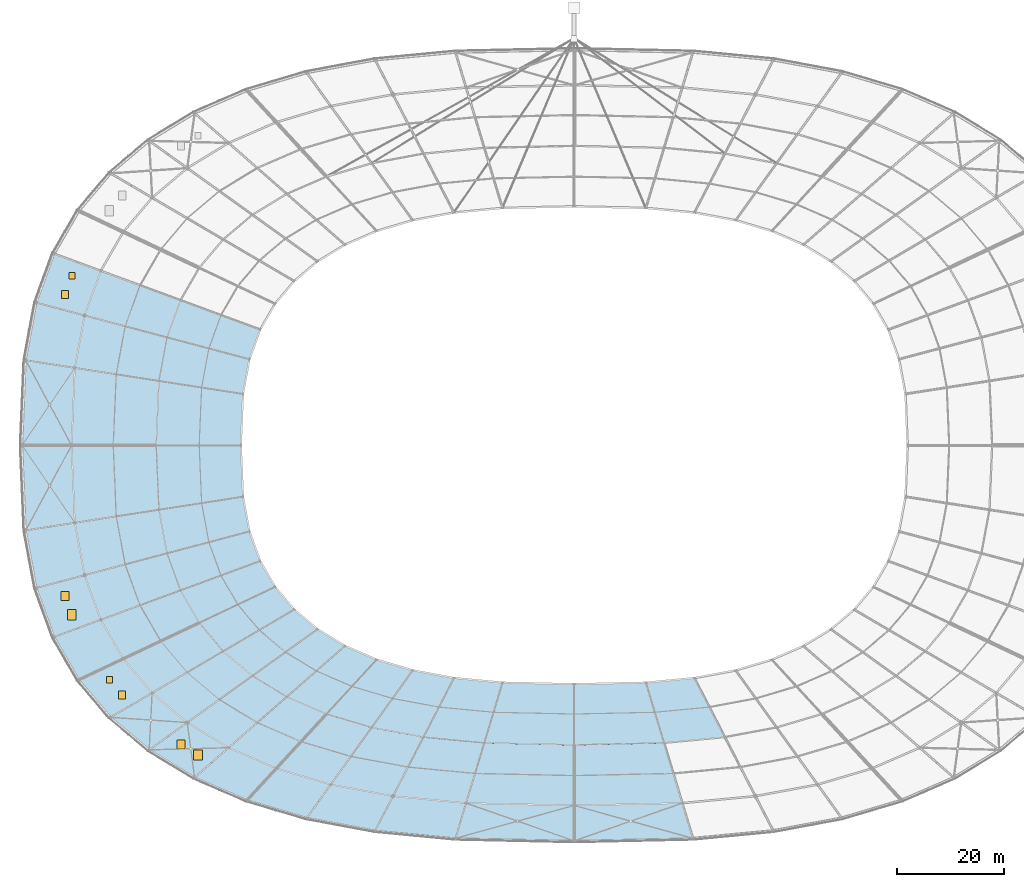
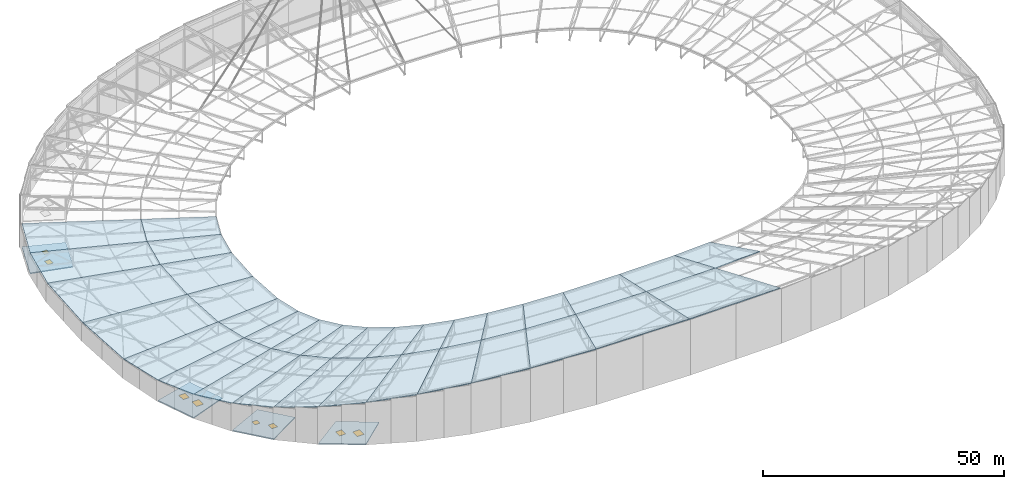
# One storey, part 104 of 143: 37 slabs, 8 windows, 8 openings, 1 element without a shape of its own.
"""IFC4 building model written with IfcOpenShell, lengths in metres."""

from ifc_helpers import new_model, si_unit, direction, frame, origin, origin_2d, place, context, subcontext, project, spatial, polyline, rectangle, outline, extrude, material, layer, layer_set, type_object, element, fill, aggregate, save


model = new_model("IFC4")

# Units and contexts
model_context = context("Model", 3, precision=1e-05, world=origin(), true_north=direction((0.0, 1.0)))
body_context = subcontext(model_context, "Body", "Model", "MODEL_VIEW")
ifc_project = project(units=[si_unit("LENGTHUNIT", "METRE"), si_unit("AREAUNIT", "SQUARE_METRE"), si_unit("VOLUMEUNIT", "CUBIC_METRE"), si_unit("PLANEANGLEUNIT", "RADIAN"), si_unit("MASSUNIT", "GRAM", prefix="KILO")], contexts=[model_context])

# Site, building, storey
site_placement = place(None, origin())
site = spatial("IfcSite", under=ifc_project, at=site_placement, CompositionType="ELEMENT")
building_placement = place(site_placement, origin())
building = spatial("IfcBuilding", under=site, at=building_placement, Name="Mphavela Belvedere Stadium", CompositionType="ELEMENT")
storey_placement = place(building_placement, frame((0.0, 0.0, 28.800048828125)))
storey = spatial("IfcBuildingStorey", under=building, at=storey_placement, Name="RF", CompositionType="ELEMENT", Elevation=28.800048828125)

# Roof, slabs, openings, windows
ifc_material_1 = material(Name="Translucent polycarbonate roof glazing", Category="glass")
roof_type = type_object("IfcRoofType", Name="ROOF-SADDLE-ASSY", PredefinedType="FREEFORM", material=ifc_material_1)
roof_placement = place(storey_placement, origin())
roof = element("IfcRoof", 1, at=roof_placement, inside=storey, type_object=roof_type, Name="Elliptical translucent saddle ring roof", PredefinedType="FREEFORM")
ifc_material_2 = material(Name="Translucent polycarbonate roof glazing over Steel S355 purlins", Category="steel")
ifc_layer_1 = layer(ifc_material_2, 0.179931640625)
ifc_layer_set_1 = layer_set([ifc_layer_1], Name="Translucent polycarbonate roof glazing over Steel S355 purlins")
slab_type_1 = type_object("IfcSlabType", Name="SLB-ROOF-POLY-180", PredefinedType="ROOF", material=ifc_layer_set_1)
slab_1_placement = place(storey_placement, frame((56.52099609375, 108.5439453125, 2.802734375), z_axis=(0.044251671248, -0.099185327266, 0.994084533854), x_axis=(-0.340014874302, -0.937148983878, -0.078368790151)))
slab_1 = element("IfcSlab", 2, at=slab_1_placement, type_object=slab_type_1, Name="Translucent saddle canopy panel 22-1", PredefinedType="ROOF", context=body_context, shape_type="SweptSolid", body=[
    extrude(outline(polyline([(0.0, 0.0), (5.875635604742094, 4.163336342344337e-17), (7.194994052926095, -15.868863240229345), (-0.17230772029580965, -15.868980489131246), (0.0, 0.0)])), origin(), (0.0, 0.0, -1.0), 0.179931640625),
])
slab_2_placement = place(storey_placement, frame((41.672607421875, 114.01416015625, 4.009521484375), z_axis=(0.044245308, -0.099200765104, 0.994083276654), x_axis=(-0.340000664528, -0.937152648351, -0.078386617544)))
slab_2 = element("IfcSlab", 3, at=slab_2_placement, type_object=slab_type_1, Name="Translucent saddle canopy panel 22-2", PredefinedType="ROOF", context=body_context, shape_type="SweptSolid", body=[
    extrude(outline(polyline([(0.0, 0.0), (7.367301773413963, -2.220446049250313e-16), (9.457827454180883, -25.145729455522236), (-0.27353103311899707, -25.14607375496118), (0.0, 0.0)])), origin(), (0.0, 0.0, -1.0), 0.179931640625),
])
slab_3_placement = place(storey_placement, frame((54.523193359375, 103.03759765625, 2.34228515625), z_axis=(0.056160153511, -0.055037355371, 0.996903669705), x_axis=(-0.182445224268, -0.982233264484, -0.04394945145)))
slab_3 = element("IfcSlab", 4, at=slab_3_placement, type_object=slab_type_1, Name="Translucent saddle canopy panel 23-1", PredefinedType="ROOF", context=body_context, shape_type="SweptSolid", body=[
    extrude(outline(polyline([(0.0, 0.0), (6.587747150970945, 2.2898349882893854e-16), (7.014488127818217, -15.874712106141375), (-1.2462808538323569, -15.874769645101626), (0.0, 0.0)])), origin(), (0.0, 0.0, -1.0), 0.179931640625),
])
slab_4_placement = place(storey_placement, frame((39.167724609375, 107.10986328125, 3.43212890625), z_axis=(0.056154244262, -0.055032730131, 0.996904257923), x_axis=(-0.18243819098, -0.982234706245, -0.043946425573)))
slab_4 = element("IfcSlab", 5, at=slab_4_placement, type_object=slab_type_1, Name="Translucent saddle canopy panel 23-2", PredefinedType="ROOF", context=body_context, shape_type="SweptSolid", body=[
    extrude(outline(polyline([(0.0, 0.0), (8.260768981880847, -1.0408340855860843e-16), (8.936675182274932, -25.155397392929643), (-1.9747544067622829, -25.155086016875813), (0.0, 0.0)])), origin(), (0.0, 0.0, -1.0), 0.179931640625),
])
slab_5_placement = place(storey_placement, frame((53.3212890625, 96.56689453125, 2.052734375), z_axis=(0.062764675151, -0.012937676198, 0.99794449349), x_axis=(-0.041914048171, -0.999067960965, -0.010316100974)))
slab_5 = element("IfcSlab", 6, at=slab_5_placement, type_object=slab_type_1, Name="Translucent saddle canopy panel 24-1", PredefinedType="ROOF", context=body_context, shape_type="SweptSolid", body=[
    extrude(outline(polyline([(0.0, 0.0), (9.575820760366003, -1.474514954580286e-17), (10.22626094737549, -15.780202079578734), (-1.7807750337001569, -15.78028620100424), (0.0, 0.0)])), origin(), (0.0, 0.0, -1.0), 0.179931640625),
])
slab_6_placement = place(storey_placement, frame((37.66064453125, 98.995849609375, 3.069091796875), z_axis=(0.062750824658, -0.012932047548, 0.997945437462), x_axis=(-0.041906744972, -0.99906831481, -0.010311501771)))
slab_6 = element("IfcSlab", 7, at=slab_6_placement, type_object=slab_type_1, Name="Translucent saddle canopy panel 24-2", PredefinedType="ROOF", context=body_context, shape_type="SweptSolid", body=[
    extrude(outline(polyline([(0.0, 0.0), (12.007035981681947, -8.673617379884035e-18), (13.037568543623168, -25.0056415318208), (-2.8221754909171586, -25.005723198609175), (0.0, 0.0)])), origin(), (0.0, 0.0, -1.0), 0.179931640625),
])
slab_7_placement = place(storey_placement, frame((52.919921875, 87.0, 1.953857421875), z_axis=(0.062764675151, 0.012937676198, 0.99794449349), x_axis=(0.041914048171, -0.999067960965, 0.010316100974)))
slab_7 = element("IfcSlab", 8, at=slab_7_placement, type_object=slab_type_1, Name="Translucent saddle canopy panel 25-1", PredefinedType="ROOF", context=body_context, shape_type="SweptSolid", body=[
    extrude(outline(polyline([(0.0, 0.0), (9.575820760366003, 1.474514954580286e-17), (11.35659579406616, -15.78028620100424), (-0.6504401870094857, -15.780202079578732), (0.0, 0.0)])), origin(), (0.0, 0.0, -1.0), 0.179931640625),
])
slab_8_placement = place(storey_placement, frame((37.157470703125, 87.0, 2.9453125), z_axis=(0.062750824658, 0.012932047548, 0.997945437462), x_axis=(0.041906744972, -0.99906831481, 0.010311501771)))
slab_8 = element("IfcSlab", 9, at=slab_8_placement, type_object=slab_type_1, Name="Translucent saddle canopy panel 25-2", PredefinedType="ROOF", context=body_context, shape_type="SweptSolid", body=[
    extrude(outline(polyline([(0.0, 0.0), (12.007035981681947, 8.673617379884035e-18), (14.829211472599106, -25.005723198609175), (-1.0305325619412222, -25.005641531820796), (0.0, 0.0)])), origin(), (0.0, 0.0, -1.0), 0.179931640625),
])
slab_9_placement = place(storey_placement, frame((53.3212890625, 77.43310546875, 2.052734375), z_axis=(0.056160153511, 0.055037355371, 0.996903669705), x_axis=(0.182445224268, -0.982233264484, 0.04394945145)))
slab_9 = element("IfcSlab", 10, at=slab_9_placement, type_object=slab_type_1, Name="Translucent saddle canopy panel 26-1", PredefinedType="ROOF", context=body_context, shape_type="SweptSolid", body=[
    extrude(outline(polyline([(0.0, 0.0), (6.587747150970945, -2.2898349882893854e-16), (7.8340280048033035, -15.874769645101628), (-0.4267409768472721, -15.874712106141374), (0.0, 0.0)])), origin(), (0.0, 0.0, -1.0), 0.179931640625),
])
slab_10_placement = place(storey_placement, frame((37.66064453125, 75.004150390625, 3.069091796875), z_axis=(0.056154244262, 0.055032730131, 0.996904257923), x_axis=(0.18243819098, -0.982234706245, 0.043946425573)))
slab_10 = element("IfcSlab", 11, at=slab_10_placement, type_object=slab_type_1, Name="Translucent saddle canopy panel 26-2", PredefinedType="ROOF", context=body_context, shape_type="SweptSolid", body=[
    extrude(outline(polyline([(0.0, 0.0), (8.260768981880847, 1.0408340855860843e-16), (10.23552338864313, -25.155086016875817), (-0.6759062003940843, -25.155397392929647), (0.0, 0.0)])), origin(), (0.0, 0.0, -1.0), 0.179931640625),
])
slab_11_placement = place(storey_placement, frame((54.523193359375, 70.96240234375, 2.34228515625), z_axis=(0.044251671248, 0.099185327266, 0.994084533854), x_axis=(0.340014874302, -0.937148983878, 0.078368790151)))
slab_11 = element("IfcSlab", 12, at=slab_11_placement, type_object=slab_type_1, Name="Translucent saddle canopy panel 27-1", PredefinedType="ROOF", context=body_context, shape_type="SweptSolid", body=[
    extrude(outline(polyline([(0.0, 0.0), (5.875635604742094, -4.163336342344337e-17), (6.047943325037904, -15.868980489131248), (-1.3193584481840013, -15.868863240229345), (0.0, 0.0)])), origin(), (0.0, 0.0, -1.0), 0.179931640625),
])
slab_12_placement = place(storey_placement, frame((39.167724609375, 66.89013671875, 3.43212890625), z_axis=(0.044245308, 0.099200765104, 0.994083276654), x_axis=(0.340000664528, -0.937152648351, 0.078386617544)))
slab_12 = element("IfcSlab", 13, at=slab_12_placement, type_object=slab_type_1, Name="Translucent saddle canopy panel 27-2", PredefinedType="ROOF", context=body_context, shape_type="SweptSolid", body=[
    extrude(outline(polyline([(0.0, 0.0), (7.367301773413963, 2.220446049250313e-16), (7.640832806532961, -25.146073754961183), (-2.0905256807669184, -25.145729455522236), (0.0, 0.0)])), origin(), (0.0, 0.0, -1.0), 0.179931640625),
])
slab_13_placement = place(storey_placement, frame((56.52099609375, 65.4560546875, 2.802734375), z_axis=(0.028856356997, 0.140011464477, 0.989729306667), x_axis=(0.497643603936, -0.860725094897, 0.107252759761)))
slab_13 = element("IfcSlab", 14, at=slab_13_placement, type_object=slab_type_1, Name="Translucent saddle canopy panel 28-1", PredefinedType="ROOF", context=body_context, shape_type="SweptSolid", body=[
    extrude(outline(polyline([(0.0, 0.0), (5.597177419716359, -3.191891195797325e-16), (4.466977256564428, -15.663177329598065), (-2.5514232128908825, -15.66347570953079), (0.0, 0.0)])), origin(), (0.0, 0.0, -1.0), 0.179931640625),
])
slab_14_placement = place(storey_placement, frame((41.672607421875, 59.98583984375, 4.009521484375), z_axis=(0.028862152723, 0.140004301385, 0.989730150967), x_axis=(0.49768019511, -0.860705565907, 0.107239695134)))
slab_14 = element("IfcSlab", 15, at=slab_14_placement, type_object=slab_type_1, Name="Translucent saddle canopy panel 28-2", PredefinedType="ROOF", context=body_context, shape_type="SweptSolid", body=[
    extrude(outline(polyline([(0.0, 0.0), (7.018400475773272, 3.0531133177191805e-16), (5.226613501522987, -24.820291656156545), (-4.043962762223195, -24.82027819553575), (0.0, 0.0)])), origin(), (0.0, 0.0, -1.0), 0.179931640625),
])
slab_15_placement = place(storey_placement, frame((59.306396484375, 60.638427734375, 3.403076171875), z_axis=(0.01248372931, 0.173586581679, 0.984739485937), x_axis=(0.640050593365, -0.758012862614, 0.125505928322)))
slab_15 = element("IfcSlab", 16, at=slab_15_placement, type_object=slab_type_1, Name="Translucent saddle canopy panel 29-1", PredefinedType="ROOF", context=body_context, shape_type="SweptSolid", body=[
    extrude(outline(polyline([(0.0, 0.0), (5.5693995622166765, -4.579669976578771e-16), (3.176877248511535, -15.235333381364018), (-3.806640203589297, -15.235549442936666), (0.0, 0.0)])), origin(), (0.0, 0.0, -1.0), 0.179931640625),
])
slab_16_placement = place(storey_placement, frame((45.16552734375, 53.945068359375, 4.76220703125), z_axis=(0.012483112725, 0.173591051891, 0.984738705749), x_axis=(0.640074409653, -0.757992736839, 0.125506019804)))
slab_16 = element("IfcSlab", 17, at=slab_16_placement, type_object=slab_type_1, Name="Translucent saddle canopy panel 29-2", PredefinedType="ROOF", context=body_context, shape_type="SweptSolid", body=[
    extrude(outline(polyline([(0.0, 0.0), (6.98351745546173, 1.0269562977782698e-15), (3.19152392636825, -24.142724802360686), (-6.0326516070483684, -24.142586709938033), (0.0, 0.0)])), origin(), (0.0, 0.0, -1.0), 0.179931640625),
])
slab_17_placement = place(storey_placement, frame((62.87109375, 56.416748046875, 4.10205078125), z_axis=(-0.002394607997, 0.198045350783, 0.980189933067), x_axis=(0.757688922825, -0.639327555468, 0.131025848775)))
slab_17 = element("IfcSlab", 18, at=slab_17_placement, type_object=slab_type_1, Name="Translucent saddle canopy panel 30-1", PredefinedType="ROOF", context=body_context, shape_type="SweptSolid", body=[
    extrude(outline(polyline([(0.0, 0.0), (5.723871621439102, -4.163336342344337e-17), (2.3144670479512737, -14.635809658616868), (-4.862661291927836, -14.635370559796606), (0.0, 0.0)])), origin(), (0.0, 0.0, -1.0), 0.179931640625),
])
slab_18_placement = place(storey_placement, frame((49.635498046875, 48.651611328125, 5.638671875), z_axis=(-0.002392054769, 0.198047747663, 0.980189455013), x_axis=(0.757648995264, -0.639373077979, 0.131034602797)))
slab_18 = element("IfcSlab", 19, at=slab_18_placement, type_object=slab_type_1, Name="Translucent saddle canopy panel 30-2", PredefinedType="ROOF", context=body_context, shape_type="SweptSolid", body=[
    extrude(outline(polyline([(0.0, 0.0), (7.177128353319401, -1.1657341758564144e-15), (1.7759581672517495, -23.192195402589864), (-7.704161750379658, -23.192590789533337), (0.0, 0.0)])), origin(), (0.0, 0.0, -1.0), 0.179931640625),
])
slab_19_placement = place(storey_placement, frame((67.2080078125, 52.75732421875, 4.85205078125), z_axis=(-0.013740312846, 0.213238533202, 0.976903542711), x_axis=(0.84766135319, -0.515724040128, 0.124494757892)))
slab_19 = element("IfcSlab", 20, at=slab_19_placement, type_object=slab_type_1, Name="Translucent saddle canopy panel 31-1", PredefinedType="ROOF", context=body_context, shape_type="SweptSolid", body=[
    extrude(outline(polyline([(0.0, 0.0), (6.025307370049517, 5.273559366969494e-16), (1.9680095544132774, -13.950294664328501), (-5.587159116346965, -13.950434290851417), (0.0, 0.0)])), origin(), (0.0, 0.0, -1.0), 0.179931640625),
])
slab_20_placement = place(storey_placement, frame((55.0732421875, 44.062744140625, 6.5791015625), z_axis=(-0.013750776942, 0.213248287485, 0.976901266259), x_axis=(0.847670959605, -0.51570568008, 0.1245054046)))
slab_20 = element("IfcSlab", 21, at=slab_20_placement, type_object=slab_type_1, Name="Translucent saddle canopy panel 31-2", PredefinedType="ROOF", context=body_context, shape_type="SweptSolid", body=[
    extrude(outline(polyline([(0.0, 0.0), (7.555168673020906, -3.608224830031759e-16), (1.1254187471130894, -22.105489857060974), (-8.853858380276769, -22.1056499283121), (0.0, 0.0)])), origin(), (0.0, 0.0, -1.0), 0.179931640625),
])
slab_21_placement = place(storey_placement, frame((72.3154296875, 49.64990234375, 5.60205078125), z_axis=(-0.020196931309, 0.220292333767, 0.975224780063), x_axis=(0.912114152601, -0.39539762111, 0.108205793951)))
slab_21 = element("IfcSlab", 22, at=slab_21_placement, type_object=slab_type_1, Name="Translucent saddle canopy panel 32-1", PredefinedType="ROOF", context=body_context, shape_type="SweptSolid", body=[
    extrude(outline(polyline([(0.0, 0.0), (6.459815932377828, -3.0531133177191805e-16), (2.171849004796829, -13.263729987729116), (-5.928171327242288, -13.263829443862422), (0.0, 0.0)])), origin(), (0.0, 0.0, -1.0), 0.179931640625),
])
slab_22_placement = place(storey_placement, frame((61.4775390625, 40.16650390625, 7.519775390625), z_axis=(-0.020202543556, 0.220281385412, 0.975227136863), x_axis=(0.912119169022, -0.395386554404, 0.108203946782)))
slab_22 = element("IfcSlab", 23, at=slab_22_placement, type_object=slab_type_1, Name="Translucent saddle canopy panel 32-2", PredefinedType="ROOF", context=body_context, shape_type="SweptSolid", body=[
    extrude(outline(polyline([(0.0, 0.0), (8.100020332656722, -2.220446049250313e-16), (1.3049359001734622, -21.01790024660058), (-9.39418244809289, -21.01769973290086), (0.0, 0.0)])), origin(), (0.0, 0.0, -1.0), 0.179931640625),
])
slab_23_placement = place(storey_placement, frame((78.20751953125, 47.095703125, 6.301025390625), z_axis=(-0.021347652741, 0.221285385069, 0.974975413063), x_axis=(0.955175991041, -0.283495912076, 0.085257808883)))
slab_23 = element("IfcSlab", 24, at=slab_23_placement, type_object=slab_type_1, Name="Translucent saddle canopy panel 33-1", PredefinedType="ROOF", context=body_context, shape_type="SweptSolid", body=[
    extrude(outline(polyline([(0.0, 0.0), (7.0394156510267685, -1.8041124150158794e-16), (2.9547943315536935, -12.642734798207673), (-5.87209259136367, -12.64245712372692), (0.0, 0.0)])), origin(), (0.0, 0.0, -1.0), 0.179931640625),
])
slab_24_placement = place(storey_placement, frame((68.86572265625, 36.9638671875, 8.396240234375), z_axis=(-0.021332302102, 0.221271990629, 0.974978789026), x_axis=(0.955167102142, -0.283529413605, 0.085245988801)))
slab_24 = element("IfcSlab", 25, at=slab_24_placement, type_object=slab_type_1, Name="Translucent saddle canopy panel 33-2", PredefinedType="ROOF", context=body_context, shape_type="SweptSolid", body=[
    extrude(outline(polyline([(0.0, 0.0), (8.826886929130305, -1.1102230246251565e-16), (2.3545046532320315, -20.033807558749324), (-9.30443501418031, -20.033791260952036), (0.0, 0.0)])), origin(), (0.0, 0.0, -1.0), 0.179931640625),
])
slab_25_placement = place(storey_placement, frame((84.931396484375, 45.10009765625, 6.9013671875), z_axis=(-0.017716384697, 0.218808731373, 0.975606923299), x_axis=(0.981391537632, -0.182787366369, 0.058816907092)))
slab_25 = element("IfcSlab", 26, at=slab_25_placement, type_object=slab_type_1, Name="Translucent saddle canopy panel 34-1", PredefinedType="ROOF", context=body_context, shape_type="SweptSolid", body=[
    extrude(outline(polyline([(0.0, 0.0), (7.830774862642115, -1.1102230246251565e-16), (4.403319004744994, -12.132280217011811), (-5.415615253726579, -12.132352860810734), (0.0, 0.0)])), origin(), (0.0, 0.0, -1.0), 0.179931640625),
])
slab_26_placement = place(storey_placement, frame((77.296875, 34.461181640625, 9.148681640625), z_axis=(-0.017728133813, 0.218818356617, 0.975604551075), x_axis=(0.981392714147, -0.18277733663, 0.058828444091)))
slab_26 = element("IfcSlab", 27, at=slab_26_placement, type_object=slab_type_1, Name="Translucent saddle canopy panel 34-2", PredefinedType="ROOF", context=body_context, shape_type="SweptSolid", body=[
    extrude(outline(polyline([(0.0, 0.0), (9.81893425968205, -2.498001805406602e-16), (4.387565532879385, -19.22449784387735), (-8.582237834766785, -19.224733323874474), (0.0, 0.0)])), origin(), (0.0, 0.0, -1.0), 0.179931640625),
])
slab_27_placement = place(storey_placement, frame((92.616455078125, 43.668701171875, 7.36181640625), z_axis=(-0.010765096078, 0.21541214484, 0.976463885949), x_axis=(0.994978821877, -0.094866801566, 0.031897240912)))
slab_27 = element("IfcSlab", 28, at=slab_27_placement, type_object=slab_type_1, Name="Translucent saddle canopy panel 35-1", PredefinedType="ROOF", context=body_context, shape_type="SweptSolid", body=[
    extrude(outline(polyline([(0.0, 0.0), (9.076826639575708, 7.632783294297951e-17), (6.845972878327858, -11.763067748871228), (-4.535648145428523, -11.762974659526115), (0.0, 0.0)])), origin(), (0.0, 0.0, -1.0), 0.179931640625),
])
slab_28_placement = place(storey_placement, frame((86.93310546875, 32.66650390625, 9.726318359375), z_axis=(-0.010760990642, 0.215402374624, 0.976466086501), x_axis=(0.994978062697, -0.094875845376, 0.031894023194)))
slab_28 = element("IfcSlab", 29, at=slab_28_placement, type_object=slab_type_1, Name="Translucent saddle canopy panel 35-2", PredefinedType="ROOF", context=body_context, shape_type="SweptSolid", body=[
    extrude(outline(polyline([(0.0, 0.0), (11.381621024120491, 2.7755575615628914e-17), (7.846678343530269, -18.63955956402324), (-7.187088831635805, -18.63938941384328), (0.0, 0.0)])), origin(), (0.0, 0.0, -1.0), 0.179931640625),
])
slab_29_placement = place(storey_placement, frame((101.647705078125, 42.8076171875, 7.6513671875), z_axis=(-0.002641050569, 0.213073375177, 0.977032630797), x_axis=(0.999740726045, -0.021534605529, 0.007398746643)))
slab_29 = element("IfcSlab", 30, at=slab_29_placement, type_object=slab_type_1, Name="Translucent saddle canopy panel 36-1", PredefinedType="ROOF", context=body_context, shape_type="SweptSolid", body=[
    extrude(outline(polyline([(0.0, 0.0), (13.35575788716462, 6.591949208711867e-17), (13.617185590609553, -11.556174624082413), (-3.1295810139537408, -11.55647844468452), (0.0, 0.0)])), origin(), (0.0, 0.0, -1.0), 0.179931640625),
])
slab_30_placement = place(storey_placement, frame((98.257568359375, 31.586669921875, 10.08935546875), z_axis=(-0.002638800976, 0.213071133453, 0.977033125753), x_axis=(0.999741142264, -0.021517374661, 0.007392635029)))
slab_30 = element("IfcSlab", 31, at=slab_30_placement, type_object=slab_type_1, Name="Translucent saddle canopy panel 36-2", PredefinedType="ROOF", context=body_context, shape_type="SweptSolid", body=[
    extrude(outline(polyline([(0.0, 0.0), (16.74676660741878, -4.163336342344337e-17), (17.160698926358865, -18.31218644579), (-4.959531628685112, -18.31207379081793), (0.0, 0.0)])), origin(), (0.0, 0.0, -1.0), 0.179931640625),
])
slab_31_placement = place(storey_placement, frame((115.0, 42.52001953125, 7.750244140625), z_axis=(0.002641050569, 0.213073375177, 0.977032630797), x_axis=(0.999740726045, 0.021534605529, -0.007398746643)))
slab_31 = element("IfcSlab", 32, at=slab_31_placement, type_object=slab_type_1, Name="Translucent saddle canopy panel 37-1", PredefinedType="ROOF", context=body_context, shape_type="SweptSolid", body=[
    extrude(outline(polyline([(0.0, 0.0), (13.35575788716462, -6.591949208711867e-17), (16.48533890111836, -11.55647844468452), (-0.26142770344493577, -11.556174624082415), (0.0, 0.0)])), origin(), (0.0, 0.0, -1.0), 0.179931640625),
])
slab_32_placement = place(storey_placement, frame((115.0, 31.226318359375, 10.213134765625), z_axis=(0.002638800976, 0.213071133453, 0.977033125753), x_axis=(0.999741142264, 0.021517374661, -0.007392635029)))
slab_32 = element("IfcSlab", 33, at=slab_32_placement, type_object=slab_type_1, Name="Translucent saddle canopy panel 37-2", PredefinedType="ROOF", context=body_context, shape_type="SweptSolid", body=[
    extrude(outline(polyline([(0.0, 0.0), (16.74676660741878, 4.163336342344337e-17), (21.706298236103894, -18.31207379081793), (-0.4139323189400798, -18.312186445790005), (0.0, 0.0)])), origin(), (0.0, 0.0, -1.0), 0.179931640625),
])
slab_33_placement = place(storey_placement, frame((128.352294921875, 42.8076171875, 7.6513671875), z_axis=(0.010765096078, 0.21541214484, 0.976463885949), x_axis=(0.994978821877, 0.094866801566, -0.031897240912)))
slab_33 = element("IfcSlab", 34, at=slab_33_placement, type_object=slab_type_1, Name="Translucent saddle canopy panel 38-1", PredefinedType="ROOF", context=body_context, shape_type="SweptSolid", body=[
    extrude(outline(polyline([(0.0, 0.0), (9.076826639575708, -7.632783294297951e-17), (13.61247478500423, -11.762974659526117), (2.230853761247848, -11.763067748871228), (0.0, 0.0)])), origin(), (0.0, 0.0, -1.0), 0.179931640625),
])
ifc_material_3 = material(Name="Standing-seam zinc insulated roof over Concrete C40/50", Category="concrete")
ifc_layer_2 = layer(ifc_material_3, 0.239990234375)
ifc_layer_set_2 = layer_set([ifc_layer_2], Name="Standing-seam zinc insulated roof over Concrete C40/50")
slab_type_2 = type_object("IfcSlabType", Name="SLB-ROOF-ZINC-240", PredefinedType="ROOF", material=ifc_layer_set_2)
slab_34_placement = place(storey_placement, frame((0.0, 0.0, -0.239990234375)))
slab_34 = element("IfcSlab", 35, at=slab_34_placement, type_object=slab_type_2, Name="Gondola core overrun roof slab 03", PredefinedType="ROOF", context=body_context, shape_type="SweptSolid", body=[
    extrude(outline(polyline([(26.824462890625, 119.484375), (23.8125, 111.181884765625), (14.83544921875, 113.5625), (18.143798828125, 122.682373046875), (26.824462890625, 119.484375)])), origin(), (0.0, 0.0, 1.0), 0.239990234375),
])
opening_1_placement = place(slab_34_placement, frame((21.45556640625, 118.54443359375, 0.0)))
opening_1 = element("IfcOpeningElement", 36, at=opening_1_placement, cuts=slab_34, Name="Opening RH-05", PredefinedType="OPENING", context=body_context, shape_type="SweptSolid", body=[
    extrude(rectangle(XDim=1.14990234375, YDim=1.199951171875, at=origin_2d()), origin(), (0.0, 0.0, 1.0), 0.239990234375),
])
opening_2_placement = place(slab_34_placement, frame((20.192626953125, 115.066650390625, 0.0)))
opening_2 = element("IfcOpeningElement", 37, at=opening_2_placement, cuts=slab_34, Name="Opening RH-06", PredefinedType="OPENING", context=body_context, shape_type="SweptSolid", body=[
    extrude(rectangle(XDim=1.300048828125, YDim=1.449951171875, at=origin_2d()), origin(), (0.0, 0.0, 1.0), 0.239990234375),
])
ifc_material_4 = material(Name="Insulated aluminium skylight roof access hatch", Category="aluminium")
window_type_1 = type_object("IfcWindowType", Name="WIN-HATCH-01", PartitioningType="SINGLE_PANEL", PredefinedType="SKYLIGHT", material=ifc_material_4)
window_1_placement = place(opening_1_placement, frame((0.0, 0.0, 0.18994140625)))
window_1 = element("IfcWindow", 38, at=window_1_placement, inside=storey, type_object=window_type_1, Name="Roof maintenance access skylight hatch RH-05", OverallHeight=1.199951171875, OverallWidth=1.14990234375, PartitioningType="SINGLE_PANEL", PredefinedType="SKYLIGHT", context=body_context, shape_type="SweptSolid", body=[
    extrude(rectangle(XDim=1.14990234375, YDim=1.199951171875, at=origin_2d()), origin(), (0.0, 0.0, 1.0), 0.050048828125),
])
fill(opening_1, window_1)
ifc_material_5 = material(Name="Insulated aluminium skylight roof access hatch", Category="aluminium")
window_type_2 = type_object("IfcWindowType", Name="WIN-HATCH-02", PartitioningType="SINGLE_PANEL", PredefinedType="SKYLIGHT", material=ifc_material_5)
window_2_placement = place(opening_2_placement, frame((0.0, 0.0, 0.18994140625)))
window_2 = element("IfcWindow", 39, at=window_2_placement, inside=storey, type_object=window_type_2, Name="Roof maintenance access skylight hatch RH-06", OverallHeight=1.449951171875, OverallWidth=1.300048828125, PartitioningType="SINGLE_PANEL", PredefinedType="SKYLIGHT", context=body_context, shape_type="SweptSolid", body=[
    extrude(rectangle(XDim=1.300048828125, YDim=1.449951171875, at=origin_2d()), origin(), (0.0, 0.0, 1.0), 0.050048828125),
])
fill(opening_2, window_2)
slab_35_placement = place(storey_placement, frame((0.0, 0.0, -0.239990234375)))
slab_35 = element("IfcSlab", 40, at=slab_35_placement, type_object=slab_type_2, Name="Gondola core overrun roof slab 04", PredefinedType="ROOF", context=body_context, shape_type="SweptSolid", body=[
    extrude(outline(polyline([(23.8125, 62.818115234375), (26.824462890625, 54.515625), (18.143798828125, 51.317626953125), (14.83544921875, 60.4375), (23.8125, 62.818115234375)])), origin(), (0.0, 0.0, 1.0), 0.239990234375),
])
opening_3_placement = place(slab_35_placement, frame((20.192626953125, 58.933349609375, 0.0)))
opening_3 = element("IfcOpeningElement", 41, at=opening_3_placement, cuts=slab_35, Name="Opening RH-07", PredefinedType="OPENING", context=body_context, shape_type="SweptSolid", body=[
    extrude(rectangle(XDim=1.449951171875, YDim=1.699951171875, at=origin_2d()), origin(), (0.0, 0.0, 1.0), 0.239990234375),
])
opening_4_placement = place(slab_35_placement, frame((21.45556640625, 55.45556640625, 0.0)))
opening_4 = element("IfcOpeningElement", 42, at=opening_4_placement, cuts=slab_35, Name="Opening RH-08", PredefinedType="OPENING", context=body_context, shape_type="SweptSolid", body=[
    extrude(rectangle(XDim=1.60009765625, YDim=1.89990234375, at=origin_2d()), origin(), (0.0, 0.0, 1.0), 0.239990234375),
])
ifc_material_6 = material(Name="Insulated aluminium skylight roof access hatch", Category="aluminium")
window_type_3 = type_object("IfcWindowType", Name="WIN-HATCH-03", PartitioningType="SINGLE_PANEL", PredefinedType="SKYLIGHT", material=ifc_material_6)
window_3_placement = place(opening_3_placement, frame((0.0, 0.0, 0.18994140625)))
window_3 = element("IfcWindow", 43, at=window_3_placement, inside=storey, type_object=window_type_3, Name="Roof maintenance access skylight hatch RH-07", OverallHeight=1.699951171875, OverallWidth=1.449951171875, PartitioningType="SINGLE_PANEL", PredefinedType="SKYLIGHT", context=body_context, shape_type="SweptSolid", body=[
    extrude(rectangle(XDim=1.449951171875, YDim=1.699951171875, at=origin_2d()), origin(), (0.0, 0.0, 1.0), 0.050048828125),
])
fill(opening_3, window_3)
ifc_material_7 = material(Name="Insulated aluminium skylight roof access hatch", Category="aluminium")
window_type_4 = type_object("IfcWindowType", Name="WIN-HATCH-04", PartitioningType="SINGLE_PANEL", PredefinedType="SKYLIGHT", material=ifc_material_7)
window_4_placement = place(opening_4_placement, frame((0.0, 0.0, 0.18994140625)))
window_4 = element("IfcWindow", 44, at=window_4_placement, inside=storey, type_object=window_type_4, Name="Roof maintenance access skylight hatch RH-08", OverallHeight=1.89990234375, OverallWidth=1.60009765625, PartitioningType="SINGLE_PANEL", PredefinedType="SKYLIGHT", context=body_context, shape_type="SweptSolid", body=[
    extrude(rectangle(XDim=1.60009765625, YDim=1.89990234375, at=origin_2d()), origin(), (0.0, 0.0, 1.0), 0.050048828125),
])
fill(opening_4, window_4)
slab_36_placement = place(storey_placement, frame((0.0, 0.0, -0.239990234375)))
slab_36 = element("IfcSlab", 45, at=slab_36_placement, type_object=slab_type_2, Name="Gondola core overrun roof slab 05", PredefinedType="ROOF", context=body_context, shape_type="SweptSolid", body=[
    extrude(outline(polyline([(31.0244140625, 47.251708984375), (36.399658203125, 40.88623046875), (28.66162109375, 36.346435546875), (22.757568359375, 43.33837890625), (31.0244140625, 47.251708984375)])), origin(), (0.0, 0.0, 1.0), 0.239990234375),
])
opening_5_placement = place(slab_36_placement, frame((28.43896484375, 43.311279296875, 0.0)))
opening_5 = element("IfcOpeningElement", 46, at=opening_5_placement, cuts=slab_36, Name="Opening RH-09", PredefinedType="OPENING", context=body_context, shape_type="SweptSolid", body=[
    extrude(rectangle(XDim=1.14990234375, YDim=1.199951171875, at=origin_2d()), origin(), (0.0, 0.0, 1.0), 0.239990234375),
])
opening_6_placement = place(slab_36_placement, frame((30.826416015625, 40.484619140625, 0.0)))
opening_6 = element("IfcOpeningElement", 47, at=opening_6_placement, cuts=slab_36, Name="Opening RH-10", PredefinedType="OPENING", context=body_context, shape_type="SweptSolid", body=[
    extrude(rectangle(XDim=1.300048828125, YDim=1.449951171875, at=origin_2d()), origin(), (0.0, 0.0, 1.0), 0.239990234375),
])
window_5_placement = place(opening_5_placement, frame((0.0, 0.0, 0.18994140625)))
window_5 = element("IfcWindow", 48, at=window_5_placement, inside=storey, type_object=window_type_1, Name="Roof maintenance access skylight hatch RH-09", OverallHeight=1.199951171875, OverallWidth=1.14990234375, PartitioningType="SINGLE_PANEL", PredefinedType="SKYLIGHT", context=body_context, shape_type="SweptSolid", body=[
    extrude(rectangle(XDim=1.14990234375, YDim=1.199951171875, at=origin_2d()), origin(), (0.0, 0.0, 1.0), 0.050048828125),
])
fill(opening_5, window_5)
window_6_placement = place(opening_6_placement, frame((0.0, 0.0, 0.18994140625)))
window_6 = element("IfcWindow", 49, at=window_6_placement, inside=storey, type_object=window_type_2, Name="Roof maintenance access skylight hatch RH-10", OverallHeight=1.449951171875, OverallWidth=1.300048828125, PartitioningType="SINGLE_PANEL", PredefinedType="SKYLIGHT", context=body_context, shape_type="SweptSolid", body=[
    extrude(rectangle(XDim=1.300048828125, YDim=1.449951171875, at=origin_2d()), origin(), (0.0, 0.0, 1.0), 0.050048828125),
])
fill(opening_6, window_6)
slab_37_placement = place(storey_placement, frame((0.0, 0.0, -0.239990234375)))
slab_37 = element("IfcSlab", 50, at=slab_37_placement, type_object=slab_type_2, Name="Gondola core overrun roof slab 06", PredefinedType="ROOF", context=body_context, shape_type="SweptSolid", body=[
    extrude(outline(polyline([(42.938720703125, 35.368408203125), (50.639892578125, 30.68310546875), (44.3037109375, 25.13916015625), (35.844482421875, 30.285400390625), (42.938720703125, 35.368408203125)])), origin(), (0.0, 0.0, 1.0), 0.239990234375),
])
opening_7_placement = place(slab_37_placement, frame((41.773193359375, 31.27490234375, 0.0)))
opening_7 = element("IfcOpeningElement", 51, at=opening_7_placement, cuts=slab_37, Name="Opening RH-11", PredefinedType="OPENING", context=body_context, shape_type="SweptSolid", body=[
    extrude(rectangle(XDim=1.449951171875, YDim=1.699951171875, at=origin_2d()), origin(), (0.0, 0.0, 1.0), 0.239990234375),
])
opening_8_placement = place(slab_37_placement, frame((44.93408203125, 29.351806640625, 0.0)))
opening_8 = element("IfcOpeningElement", 52, at=opening_8_placement, cuts=slab_37, Name="Opening RH-12", PredefinedType="OPENING", context=body_context, shape_type="SweptSolid", body=[
    extrude(rectangle(XDim=1.60009765625, YDim=1.89990234375, at=origin_2d()), origin(), (0.0, 0.0, 1.0), 0.239990234375),
])
window_7_placement = place(opening_7_placement, frame((0.0, 0.0, 0.18994140625)))
window_7 = element("IfcWindow", 53, at=window_7_placement, inside=storey, type_object=window_type_3, Name="Roof maintenance access skylight hatch RH-11", OverallHeight=1.699951171875, OverallWidth=1.449951171875, PartitioningType="SINGLE_PANEL", PredefinedType="SKYLIGHT", context=body_context, shape_type="SweptSolid", body=[
    extrude(rectangle(XDim=1.449951171875, YDim=1.699951171875, at=origin_2d()), origin(), (0.0, 0.0, 1.0), 0.050048828125),
])
fill(opening_7, window_7)
window_8_placement = place(opening_8_placement, frame((0.0, 0.0, 0.18994140625)))
window_8 = element("IfcWindow", 54, at=window_8_placement, inside=storey, type_object=window_type_4, Name="Roof maintenance access skylight hatch RH-12", OverallHeight=1.89990234375, OverallWidth=1.60009765625, PartitioningType="SINGLE_PANEL", PredefinedType="SKYLIGHT", context=body_context, shape_type="SweptSolid", body=[
    extrude(rectangle(XDim=1.60009765625, YDim=1.89990234375, at=origin_2d()), origin(), (0.0, 0.0, 1.0), 0.050048828125),
])
fill(opening_8, window_8)
aggregate(roof, [slab_1, slab_2, slab_3, slab_4, slab_5, slab_6, slab_7, slab_8, slab_9, slab_10, slab_11, slab_12, slab_13, slab_14, slab_15, slab_16, slab_17, slab_18, slab_19, slab_20, slab_21, slab_22, slab_23, slab_24, slab_25, slab_26, slab_27, slab_28, slab_29, slab_30, slab_31, slab_32, slab_33, slab_34, slab_35, slab_36, slab_37])

save(model, "model.ifc")
